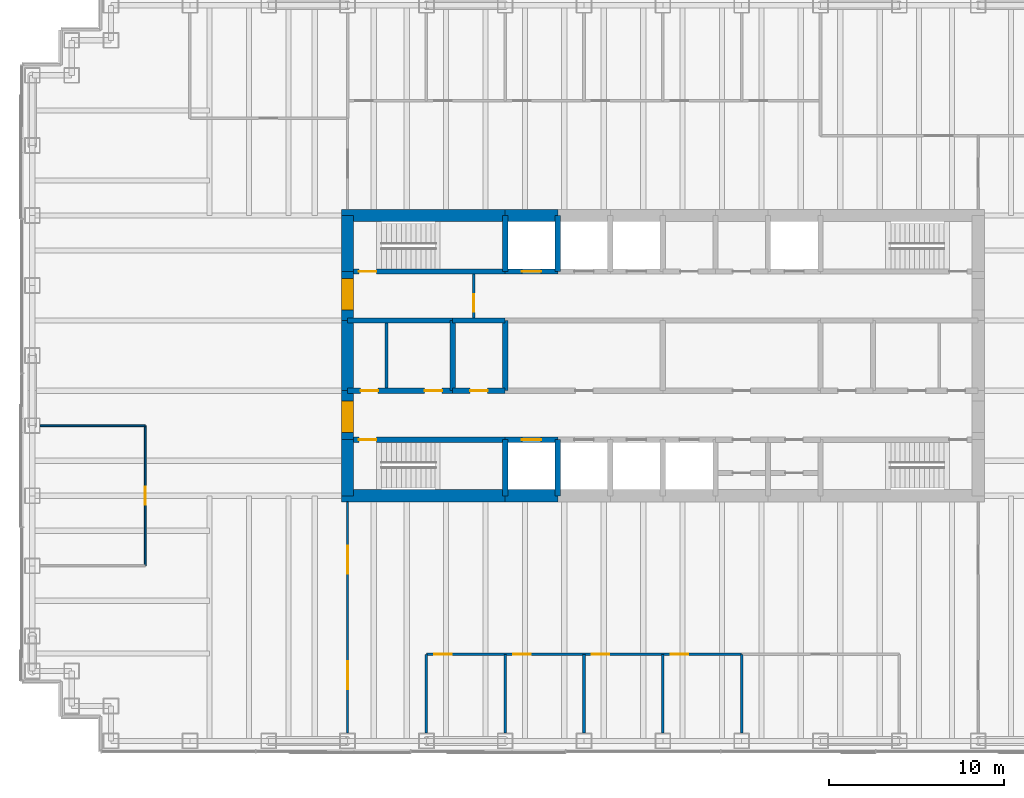
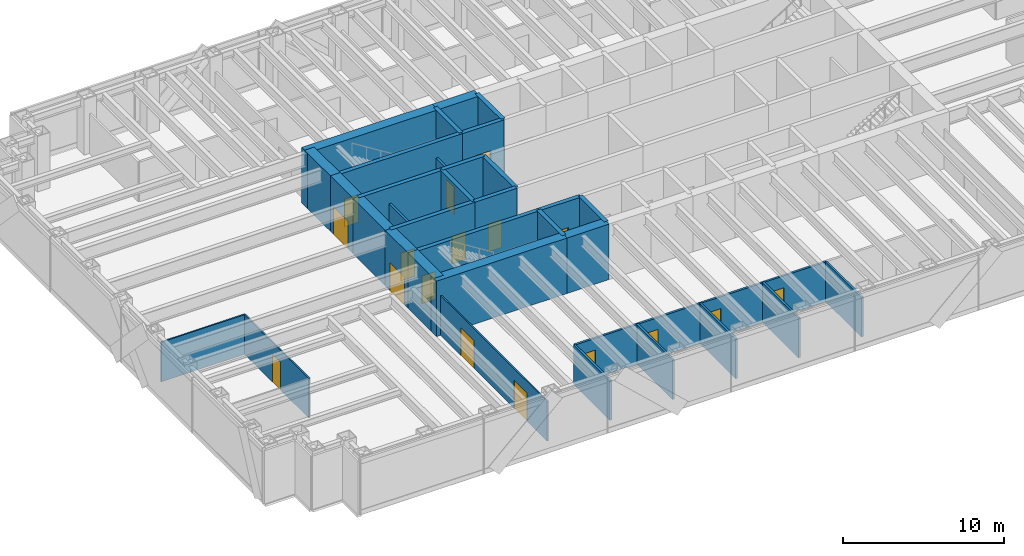
# One storey, part 11 of 15: 34 walls, 17 doors, 17 openings.
"""IFC4 building model written with IfcOpenShell, lengths in metres."""

from ifc_helpers import new_model, si_unit, direction, frame, frame_2d, origin, place, context, subcontext, project, spatial, rectangle, extrude, material, layer, layer_set, type_object, element, fill, save


model = new_model("IFC4")

# Units and contexts
model_context = context("Model", 3, precision=1e-05, world=origin(), true_north=direction((0.0, 1.0)))
body_context = subcontext(model_context, "Body", "Model", "MODEL_VIEW")
ifc_project = project(units=[si_unit("LENGTHUNIT", "METRE"), si_unit("AREAUNIT", "SQUARE_METRE"), si_unit("VOLUMEUNIT", "CUBIC_METRE"), si_unit("PLANEANGLEUNIT", "RADIAN"), si_unit("MASSUNIT", "GRAM", prefix="KILO")], contexts=[model_context])

# Site, building, storey
site_placement = place(None, origin())
site = spatial("IfcSite", under=ifc_project, at=site_placement, CompositionType="ELEMENT")
building_placement = place(site_placement, origin())
building = spatial("IfcBuilding", under=site, at=building_placement, Name="Rheinbord Bourse Tower", CompositionType="ELEMENT")
storey_placement = place(building_placement, frame((0.0, 0.0, 313.10009765625)))
storey = spatial("IfcBuildingStorey", under=building, at=storey_placement, Name="L71", CompositionType="ELEMENT", Elevation=313.10009765625)

# Wall, opening, door
ifc_material_1 = material(Name="Concrete C50/60", Category="concrete")
ifc_layer_1 = layer(ifc_material_1, 0.300048828125)
ifc_layer_set_1 = layer_set([ifc_layer_1], Name="CORE INNER WALL 300")
wall_type_1 = type_object("IfcWallType", Name="CORE INNER WALL 300", PredefinedType="SOLIDWALL", material=ifc_layer_set_1)
wall_1_placement = place(storey_placement, frame((18.0, 19.199951171875, 0.0), z_axis=(0.0, 0.0, 1.0), x_axis=(1.0, 0.0, 0.0)))
wall_1 = element("IfcWall", 1, at=wall_1_placement, inside=storey, type_object=wall_type_1, Name="Core wall A1 L71", PredefinedType="SOLIDWALL", context=body_context, shape_type="SweptSolid", body=[
    extrude(rectangle(XDim=9.0, YDim=0.300048828125, at=frame_2d((4.5, 0.0))), origin(), (0.0, 0.0, 1.0), 4.199951171875),
])
opening_1_placement = place(wall_1_placement, frame((0.64990234375, 0.0, 0.0)))
opening_1 = element("IfcOpeningElement", 2, at=opening_1_placement, cuts=wall_1, Name="Opening 7110", PredefinedType="OPENING", context=body_context, shape_type="SweptSolid", body=[
    extrude(rectangle(XDim=1.0, YDim=2.10009765625, at=frame_2d((0.5, 1.050048828125))), frame((0.0, 0.159912109375, 0.0), z_axis=(0.0, -1.0, 0.0), x_axis=(1.0, 0.0, 0.0)), (0.0, 0.0, 1.0), 0.320068359375),
])
ifc_material_2 = material(Name="Steel door", Category="steel")
door_type_1 = type_object("IfcDoorType", Name="DOOR 1000 EI30", OperationType="SINGLE_SWING_LEFT", PredefinedType="DOOR", material=ifc_material_2)
door_1_placement = place(opening_1_placement, origin())
door_1 = element("IfcDoor", 3, at=door_1_placement, inside=storey, type_object=door_type_1, Name="Stair door ST1 L71", OperationType="SINGLE_SWING_LEFT", OverallHeight=2.10009765625, OverallWidth=1.0, PredefinedType="DOOR", context=body_context, shape_type="SweptSolid", body=[
    extrude(rectangle(XDim=1.0, YDim=2.10009765625, at=frame_2d((0.5, 1.050048828125))), frame((0.0, 0.02490234375, 0.0), z_axis=(0.0, -1.0, 0.0), x_axis=(1.0, 0.0, 0.0)), (0.0, 0.0, 1.0), 0.050048828125),
])
fill(opening_1, door_1)

wall_2_placement = place(storey_placement, frame((27.0, 19.199951171875, 0.0), z_axis=(0.0, 0.0, 1.0), x_axis=(1.0, 0.0, 0.0)))
wall_2 = element("IfcWall", 4, at=wall_2_placement, inside=storey, type_object=wall_type_1, Name="Core wall A2 L71", PredefinedType="SOLIDWALL", context=body_context, shape_type="SweptSolid", body=[
    extrude(rectangle(XDim=3.0, YDim=0.300048828125, at=frame_2d((1.5, 0.0))), origin(), (0.0, 0.0, 1.0), 4.199951171875),
])
opening_2_placement = place(wall_2_placement, frame((0.949951171875, 0.0, 0.0)))
opening_2 = element("IfcOpeningElement", 5, at=opening_2_placement, cuts=wall_2, Name="Opening FL1", PredefinedType="OPENING", context=body_context, shape_type="SweptSolid", body=[
    extrude(rectangle(XDim=1.10009765625, YDim=2.199951171875, at=frame_2d((0.550048828125, 1.10009765625))), frame((0.0, 0.159912109375, 0.0), z_axis=(0.0, -1.0, 0.0), x_axis=(1.0, 0.0, 0.0)), (0.0, 0.0, 1.0), 0.320068359375),
])
ifc_material_3 = material(Name="Steel landing door", Category="steel")
door_type_2 = type_object("IfcDoorType", Name="LIFT LANDING DOOR 1100", OperationType="DOUBLE_DOOR_SLIDING", PredefinedType="USERDEFINED", material=ifc_material_3)
door_2_placement = place(opening_2_placement, origin())
door_2 = element("IfcDoor", 6, at=door_2_placement, inside=storey, type_object=door_type_2, Name="Lift landing door FL1 L71", ObjectType="LIFT LANDING DOOR", OperationType="DOUBLE_DOOR_SLIDING", OverallHeight=2.199951171875, OverallWidth=1.10009765625, PredefinedType="USERDEFINED", context=body_context, shape_type="SweptSolid", body=[
    extrude(rectangle(XDim=1.10009765625, YDim=2.199951171875, at=frame_2d((0.550048828125, 1.10009765625))), frame((0.0, 0.02490234375, 0.0), z_axis=(0.0, -1.0, 0.0), x_axis=(1.0, 0.0, 0.0)), (0.0, 0.0, 1.0), 0.050048828125),
])
fill(opening_2, door_2)

wall_3_placement = place(storey_placement, frame((18.0, 28.800048828125, 0.0), z_axis=(0.0, 0.0, 1.0), x_axis=(1.0, 0.0, 0.0)))
wall_3 = element("IfcWall", 7, at=wall_3_placement, inside=storey, type_object=wall_type_1, Name="Core wall B1 L71", PredefinedType="SOLIDWALL", context=body_context, shape_type="SweptSolid", body=[
    extrude(rectangle(XDim=9.0, YDim=0.300048828125, at=frame_2d((4.5, 0.0))), origin(), (0.0, 0.0, 1.0), 4.199951171875),
])
opening_3_placement = place(wall_3_placement, frame((0.64990234375, 0.0, 0.0)))
opening_3 = element("IfcOpeningElement", 8, at=opening_3_placement, cuts=wall_3, Name="Opening 7120", PredefinedType="OPENING", context=body_context, shape_type="SweptSolid", body=[
    extrude(rectangle(XDim=1.0, YDim=2.10009765625, at=frame_2d((0.5, 1.050048828125))), frame((0.0, 0.159912109375, 0.0), z_axis=(0.0, -1.0, 0.0), x_axis=(1.0, 0.0, 0.0)), (0.0, 0.0, 1.0), 0.320068359375),
])
door_3_placement = place(opening_3_placement, origin())
door_3 = element("IfcDoor", 9, at=door_3_placement, inside=storey, type_object=door_type_1, Name="Stair door ST2 L71", OperationType="SINGLE_SWING_LEFT", OverallHeight=2.10009765625, OverallWidth=1.0, PredefinedType="DOOR", context=body_context, shape_type="SweptSolid", body=[
    extrude(rectangle(XDim=1.0, YDim=2.10009765625, at=frame_2d((0.5, 1.050048828125))), frame((0.0, 0.02490234375, 0.0), z_axis=(0.0, -1.0, 0.0), x_axis=(1.0, 0.0, 0.0)), (0.0, 0.0, 1.0), 0.050048828125),
])
fill(opening_3, door_3)

wall_4_placement = place(storey_placement, frame((27.0, 28.800048828125, 0.0), z_axis=(0.0, 0.0, 1.0), x_axis=(1.0, 0.0, 0.0)))
wall_4 = element("IfcWall", 10, at=wall_4_placement, inside=storey, type_object=wall_type_1, Name="Core wall B2 L71", PredefinedType="SOLIDWALL", context=body_context, shape_type="SweptSolid", body=[
    extrude(rectangle(XDim=3.0, YDim=0.300048828125, at=frame_2d((1.5, 0.0))), origin(), (0.0, 0.0, 1.0), 4.199951171875),
])
opening_4_placement = place(wall_4_placement, frame((0.949951171875, 0.0, 0.0)))
opening_4 = element("IfcOpeningElement", 11, at=opening_4_placement, cuts=wall_4, Name="Opening GL1", PredefinedType="OPENING", context=body_context, shape_type="SweptSolid", body=[
    extrude(rectangle(XDim=1.10009765625, YDim=2.199951171875, at=frame_2d((0.550048828125, 1.10009765625))), frame((0.0, 0.159912109375, 0.0), z_axis=(0.0, -1.0, 0.0), x_axis=(1.0, 0.0, 0.0)), (0.0, 0.0, 1.0), 0.320068359375),
])
door_4_placement = place(opening_4_placement, origin())
door_4 = element("IfcDoor", 12, at=door_4_placement, inside=storey, type_object=door_type_2, Name="Lift landing door GL1 L71", ObjectType="LIFT LANDING DOOR", OperationType="DOUBLE_DOOR_SLIDING", OverallHeight=2.199951171875, OverallWidth=1.10009765625, PredefinedType="USERDEFINED", context=body_context, shape_type="SweptSolid", body=[
    extrude(rectangle(XDim=1.10009765625, YDim=2.199951171875, at=frame_2d((0.550048828125, 1.10009765625))), frame((0.0, 0.02490234375, 0.0), z_axis=(0.0, -1.0, 0.0), x_axis=(1.0, 0.0, 0.0)), (0.0, 0.0, 1.0), 0.050048828125),
])
fill(opening_4, door_4)

# Wall, openings, doors
wall_5_placement = place(storey_placement, frame((18.0, 22.0, 0.0), z_axis=(0.0, 0.0, 1.0), x_axis=(1.0, 0.0, 0.0)))
wall_5 = element("IfcWall", 13, at=wall_5_placement, inside=storey, type_object=wall_type_1, Name="Core wall C1 L71", PredefinedType="SOLIDWALL", context=body_context, shape_type="SweptSolid", body=[
    extrude(rectangle(XDim=6.0, YDim=0.300048828125, at=frame_2d((3.0, 0.0))), origin(), (0.0, 0.0, 1.0), 4.199951171875),
])
opening_5_placement = place(wall_5_placement, frame((4.39990234375, 0.0, 0.0)))
opening_5 = element("IfcOpeningElement", 14, at=opening_5_placement, cuts=wall_5, Name="Opening 71R1", PredefinedType="OPENING", context=body_context, shape_type="SweptSolid", body=[
    extrude(rectangle(XDim=1.0, YDim=2.10009765625, at=frame_2d((0.5, 1.050048828125))), frame((0.0, 0.159912109375, 0.0), z_axis=(0.0, -1.0, 0.0), x_axis=(1.0, 0.0, 0.0)), (0.0, 0.0, 1.0), 0.320068359375),
])
opening_6_placement = place(wall_5_placement, frame((0.75, 0.0, 0.0)))
opening_6 = element("IfcOpeningElement", 15, at=opening_6_placement, cuts=wall_5, Name="Opening 71R9", PredefinedType="OPENING", context=body_context, shape_type="SweptSolid", body=[
    extrude(rectangle(XDim=1.0, YDim=2.10009765625, at=frame_2d((0.5, 1.050048828125))), frame((0.0, 0.159912109375, 0.0), z_axis=(0.0, -1.0, 0.0), x_axis=(1.0, 0.0, 0.0)), (0.0, 0.0, 1.0), 0.320068359375),
])
door_5_placement = place(opening_6_placement, origin())
door_5 = element("IfcDoor", 16, at=door_5_placement, inside=storey, type_object=door_type_1, Name="Staff shower door L71", OperationType="SINGLE_SWING_LEFT", OverallHeight=2.10009765625, OverallWidth=1.0, PredefinedType="DOOR", context=body_context, shape_type="SweptSolid", body=[
    extrude(rectangle(XDim=1.0, YDim=2.10009765625, at=frame_2d((0.5, 1.050048828125))), frame((0.0, 0.02490234375, 0.0), z_axis=(0.0, -1.0, 0.0), x_axis=(1.0, 0.0, 0.0)), (0.0, 0.0, 1.0), 0.050048828125),
])
fill(opening_6, door_5)
ifc_material_4 = material(Name="Timber door", Category="wood")
door_type_3 = type_object("IfcDoorType", Name="DOOR 1000 WC", OperationType="SINGLE_SWING_LEFT", PredefinedType="DOOR", material=ifc_material_4)
door_6_placement = place(opening_5_placement, origin())
door_6 = element("IfcDoor", 17, at=door_6_placement, inside=storey, type_object=door_type_3, Name="WC men door L71", OperationType="SINGLE_SWING_RIGHT", OverallHeight=2.10009765625, OverallWidth=1.0, PredefinedType="DOOR", context=body_context, shape_type="SweptSolid", body=[
    extrude(rectangle(XDim=1.0, YDim=2.10009765625, at=frame_2d((0.5, 1.050048828125))), frame((0.0, 0.02490234375, 0.0), z_axis=(0.0, -1.0, 0.0), x_axis=(1.0, 0.0, 0.0)), (0.0, 0.0, 1.0), 0.050048828125),
])
fill(opening_5, door_6)

# Wall, opening, door
wall_6_placement = place(storey_placement, frame((24.0, 22.0, 0.0), z_axis=(0.0, 0.0, 1.0), x_axis=(1.0, 0.0, 0.0)))
wall_6 = element("IfcWall", 18, at=wall_6_placement, inside=storey, type_object=wall_type_1, Name="Core wall C2 L71", PredefinedType="SOLIDWALL", context=body_context, shape_type="SweptSolid", body=[
    extrude(rectangle(XDim=3.0, YDim=0.300048828125, at=frame_2d((1.5, 0.0))), origin(), (0.0, 0.0, 1.0), 4.199951171875),
])
opening_7_placement = place(wall_6_placement, frame((1.0, 0.0, 0.0)))
opening_7 = element("IfcOpeningElement", 19, at=opening_7_placement, cuts=wall_6, Name="Opening 71R2", PredefinedType="OPENING", context=body_context, shape_type="SweptSolid", body=[
    extrude(rectangle(XDim=1.0, YDim=2.10009765625, at=frame_2d((0.5, 1.050048828125))), frame((0.0, 0.159912109375, 0.0), z_axis=(0.0, -1.0, 0.0), x_axis=(1.0, 0.0, 0.0)), (0.0, 0.0, 1.0), 0.320068359375),
])
door_7_placement = place(opening_7_placement, origin())
door_7 = element("IfcDoor", 20, at=door_7_placement, inside=storey, type_object=door_type_3, Name="Accessible WC door L71", OperationType="SINGLE_SWING_LEFT", OverallHeight=2.10009765625, OverallWidth=1.0, PredefinedType="DOOR", context=body_context, shape_type="SweptSolid", body=[
    extrude(rectangle(XDim=1.0, YDim=2.10009765625, at=frame_2d((0.5, 1.050048828125))), frame((0.0, 0.02490234375, 0.0), z_axis=(0.0, -1.0, 0.0), x_axis=(1.0, 0.0, 0.0)), (0.0, 0.0, 1.0), 0.050048828125),
])
fill(opening_7, door_7)

# Walls
wall_7_placement = place(storey_placement, frame((18.0, 26.0, 0.0), z_axis=(0.0, 0.0, 1.0), x_axis=(1.0, 0.0, 0.0)))
element("IfcWall", 21, at=wall_7_placement, inside=storey, type_object=wall_type_1, Name="Core wall D1 L71", PredefinedType="SOLIDWALL", context=body_context, shape_type="SweptSolid", body=[
    extrude(rectangle(XDim=6.0, YDim=0.300048828125, at=frame_2d((3.0, 0.0))), origin(), (0.0, 0.0, 1.0), 4.199951171875),
])
wall_8_placement = place(storey_placement, frame((24.0, 26.0, 0.0), z_axis=(0.0, 0.0, 1.0), x_axis=(1.0, 0.0, 0.0)))
element("IfcWall", 22, at=wall_8_placement, inside=storey, type_object=wall_type_1, Name="Core wall D2 L71", PredefinedType="SOLIDWALL", context=body_context, shape_type="SweptSolid", body=[
    extrude(rectangle(XDim=3.0, YDim=0.300048828125, at=frame_2d((1.5, 0.0))), origin(), (0.0, 0.0, 1.0), 4.199951171875),
])
for number, where, z_axis, x_axis, name in (
    (23, (27.0, 16.0, 0.0), (0.0, 0.0, 1.0), (0.0, 1.0, 0.0), "Core wall SX27 L71"),
    (24, (27.0, 28.800048828125, 0.0), (0.0, 0.0, 1.0), (0.0, 1.0, 0.0), "Core wall NX27 L71"),
    (25, (30.0, 16.0, 0.0), (0.0, 0.0, 1.0), (0.0, 1.0, 0.0), "Core wall SX30 L71"),
    (26, (30.0, 28.800048828125, 0.0), (0.0, 0.0, 1.0), (0.0, 1.0, 0.0), "Core wall NX30 L71"),
):
    element("IfcWall", number, at=place(storey_placement, frame(where, z_axis=z_axis, x_axis=x_axis)), inside=storey, type_object=wall_type_1, Name=name, PredefinedType="SOLIDWALL", context=body_context, shape_type="SweptSolid", body=[
        extrude(rectangle(XDim=3.199951171875, YDim=0.300048828125, at=frame_2d((1.60009765625, 0.0))), origin(), (0.0, 0.0, 1.0), 4.199951171875),
    ])
for number, where, z_axis, x_axis, name in (
    (27, (24.0, 22.0, 0.0), (0.0, 0.0, 1.0), (0.0, 1.0, 0.0), "Core wall MX24 L71"),
    (28, (27.0, 22.0, 0.0), (0.0, 0.0, 1.0), (0.0, 1.0, 0.0), "Core wall MX27 L71"),
):
    element("IfcWall", number, at=place(storey_placement, frame(where, z_axis=z_axis, x_axis=x_axis)), inside=storey, type_object=wall_type_1, Name=name, PredefinedType="SOLIDWALL", context=body_context, shape_type="SweptSolid", body=[
        extrude(rectangle(XDim=4.0, YDim=0.300048828125, at=frame_2d((2.0, 0.0))), origin(), (0.0, 0.0, 1.0), 4.199951171875),
    ])
ifc_material_5 = material(Name="Gypsum board fire partition", Category="gypsum board")
ifc_layer_2 = layer(ifc_material_5, 0.14990234375)
ifc_layer_set_2 = layer_set([ifc_layer_2], Name="CORE PARTITION 150 EI30")
wall_type_2 = type_object("IfcWallType", Name="CORE PARTITION 150 EI30", PredefinedType="PARTITIONING", material=ifc_layer_set_2)
wall_9_placement = place(storey_placement, frame((20.22509765625, 22.14990234375, 0.0), z_axis=(0.0, 0.0, 1.0), x_axis=(0.0, 1.0, 0.0)))
element("IfcWall", 29, at=wall_9_placement, inside=storey, type_object=wall_type_2, Name="Core partition L71-2", PredefinedType="PARTITIONING", context=body_context, shape_type="SweptSolid", body=[
    extrude(rectangle(XDim=3.7001953125, YDim=0.14990234375, at=frame_2d((1.85009765625, 0.0))), origin(), (0.0, 0.0, 1.0), 3.0),
])

# Wall, opening, door
wall_10_placement = place(storey_placement, frame((25.199951171875, 26.14990234375, 0.0), z_axis=(0.0, 0.0, 1.0), x_axis=(0.0, 1.0, 0.0)))
wall_10 = element("IfcWall", 30, at=wall_10_placement, inside=storey, type_object=wall_type_2, Name="Core partition L71-5", PredefinedType="PARTITIONING", context=body_context, shape_type="SweptSolid", body=[
    extrude(rectangle(XDim=2.5, YDim=0.14990234375, at=frame_2d((1.25, 0.0))), origin(), (0.0, 0.0, 1.0), 3.0),
])
opening_8_placement = place(wall_10_placement, frame((0.35009765625, 0.0, 0.0)))
opening_8 = element("IfcOpeningElement", 31, at=opening_8_placement, cuts=wall_10, Name="Opening 71L6", PredefinedType="OPENING", context=body_context, shape_type="SweptSolid", body=[
    extrude(rectangle(XDim=1.0, YDim=2.10009765625, at=frame_2d((0.5, 1.050048828125))), frame((0.0, 0.0849609375, 0.0), z_axis=(0.0, -1.0, 0.0), x_axis=(1.0, 0.0, 0.0)), (0.0, 0.0, 1.0), 0.169921875),
])
door_8_placement = place(opening_8_placement, origin())
door_8 = element("IfcDoor", 32, at=door_8_placement, inside=storey, type_object=door_type_1, Name="Stair lobby door L71", OperationType="SINGLE_SWING_LEFT", OverallHeight=2.10009765625, OverallWidth=1.0, PredefinedType="DOOR", context=body_context, shape_type="SweptSolid", body=[
    extrude(rectangle(XDim=1.0, YDim=2.10009765625, at=frame_2d((0.5, 1.050048828125))), frame((0.0, 0.02490234375, 0.0), z_axis=(0.0, -1.0, 0.0), x_axis=(1.0, 0.0, 0.0)), (0.0, 0.0, 1.0), 0.050048828125),
])
fill(opening_8, door_8)

# Walls
ifc_material_6 = material(Name="Concrete C50/60", Category="concrete")
ifc_layer_3 = layer(ifc_material_6, 0.699951171875)
ifc_layer_set_3 = layer_set([ifc_layer_3], Name="CORE WALL 700")
wall_type_3 = type_object("IfcWallType", Name="CORE WALL 700", PredefinedType="SHEAR", material=ifc_layer_set_3)
wall_11_placement = place(storey_placement, frame((17.64990234375, 16.0, 0.0), z_axis=(0.0, 0.0, 1.0), x_axis=(1.0, 0.0, 0.0)))
element("IfcWall", 33, at=wall_11_placement, inside=storey, type_object=wall_type_3, Name="Core wall S1 L71", PredefinedType="SHEAR", context=body_context, shape_type="SweptSolid", body=[
    extrude(rectangle(XDim=9.35009765625, YDim=0.699951171875, at=frame_2d((4.675048828125, 0.0))), origin(), (0.0, 0.0, 1.0), 4.199951171875),
])
for number, where, z_axis, x_axis, name in (
    (34, (27.0, 16.0, 0.0), (0.0, 0.0, 1.0), (1.0, 0.0, 0.0), "Core wall S2 L71"),
    (35, (30.0, 32.0, 0.0), (0.0, 0.0, 1.0), (-1.0, 0.0, 0.0), "Core wall N7 L71"),
):
    element("IfcWall", number, at=place(storey_placement, frame(where, z_axis=z_axis, x_axis=x_axis)), inside=storey, type_object=wall_type_3, Name=name, PredefinedType="SHEAR", context=body_context, shape_type="SweptSolid", body=[
        extrude(rectangle(XDim=3.0, YDim=0.699951171875, at=frame_2d((1.5, 0.0))), origin(), (0.0, 0.0, 1.0), 4.199951171875),
    ])
wall_12_placement = place(storey_placement, frame((27.0, 32.0, 0.0), z_axis=(0.0, 0.0, 1.0), x_axis=(-1.0, 0.0, 0.0)))
element("IfcWall", 36, at=wall_12_placement, inside=storey, type_object=wall_type_3, Name="Core wall N8 L71", PredefinedType="SHEAR", context=body_context, shape_type="SweptSolid", body=[
    extrude(rectangle(XDim=9.35009765625, YDim=0.699951171875, at=frame_2d((4.675048828125, 0.0))), origin(), (0.0, 0.0, 1.0), 4.199951171875),
])
wall_13_placement = place(storey_placement, frame((18.0, 32.0, 0.0), z_axis=(0.0, 0.0, 1.0), x_axis=(0.0, -1.0, 0.0)))
element("IfcWall", 37, at=wall_13_placement, inside=storey, type_object=wall_type_3, Name="Core wall W1 L71", PredefinedType="SHEAR", context=body_context, shape_type="SweptSolid", body=[
    extrude(rectangle(XDim=3.199951171875, YDim=0.699951171875, at=frame_2d((1.60009765625, 0.0))), origin(), (0.0, 0.0, 1.0), 4.199951171875),
])

# Wall, opening, door
wall_14_placement = place(storey_placement, frame((18.0, 28.800048828125, 0.0), z_axis=(0.0, 0.0, 1.0), x_axis=(0.0, -1.0, 0.0)))
wall_14 = element("IfcWall", 38, at=wall_14_placement, inside=storey, type_object=wall_type_3, Name="Core wall W2 L71", PredefinedType="SHEAR", context=body_context, shape_type="SweptSolid", body=[
    extrude(rectangle(XDim=2.800048828125, YDim=0.699951171875, at=frame_2d((1.39990234375, 0.0))), origin(), (0.0, 0.0, 1.0), 4.199951171875),
])
opening_9_placement = place(wall_14_placement, frame((0.39990234375, 0.0, 0.0)))
opening_9 = element("IfcOpeningElement", 39, at=opening_9_placement, cuts=wall_14, Name="Opening 71L2", PredefinedType="OPENING", context=body_context, shape_type="SweptSolid", body=[
    extrude(rectangle(XDim=1.800048828125, YDim=2.10009765625, at=frame_2d((0.89990234375, 1.050048828125))), frame((0.0, 0.35986328125, 0.0), z_axis=(0.0, -1.0, 0.0), x_axis=(1.0, 0.0, 0.0)), (0.0, 0.0, 1.0), 0.719970703125),
])
ifc_material_7 = material(Name="Steel door", Category="steel")
door_type_4 = type_object("IfcDoorType", Name="DOOR 1800 EI30 DOUBLE", OperationType="DOUBLE_DOOR_DOUBLE_SWING", PredefinedType="DOOR", material=ifc_material_7)
door_9_placement = place(opening_9_placement, origin())
door_9 = element("IfcDoor", 40, at=door_9_placement, inside=storey, type_object=door_type_4, Name="Lobby door 2 L71", OperationType="SINGLE_SWING_LEFT", OverallHeight=2.10009765625, OverallWidth=1.800048828125, PredefinedType="DOOR", context=body_context, shape_type="SweptSolid", body=[
    extrude(rectangle(XDim=1.800048828125, YDim=2.10009765625, at=frame_2d((0.89990234375, 1.050048828125))), frame((0.0, 0.349609375, 0.0), z_axis=(0.0, -1.0, 0.0), x_axis=(1.0, 0.0, 0.0)), (0.0, 0.0, 1.0), 0.699462890625),
])
fill(opening_9, door_9)

# Wall
wall_15_placement = place(storey_placement, frame((18.0, 26.0, 0.0), z_axis=(0.0, 0.0, 1.0), x_axis=(0.0, -1.0, 0.0)))
element("IfcWall", 41, at=wall_15_placement, inside=storey, type_object=wall_type_3, Name="Core wall W3 L71", PredefinedType="SHEAR", context=body_context, shape_type="SweptSolid", body=[
    extrude(rectangle(XDim=4.0, YDim=0.699951171875, at=frame_2d((2.0, 0.0))), origin(), (0.0, 0.0, 1.0), 4.199951171875),
])

# Wall, opening, door
wall_16_placement = place(storey_placement, frame((18.0, 22.0, 0.0), z_axis=(0.0, 0.0, 1.0), x_axis=(0.0, -1.0, 0.0)))
wall_16 = element("IfcWall", 42, at=wall_16_placement, inside=storey, type_object=wall_type_3, Name="Core wall W4 L71", PredefinedType="SHEAR", context=body_context, shape_type="SweptSolid", body=[
    extrude(rectangle(XDim=2.800048828125, YDim=0.699951171875, at=frame_2d((1.39990234375, 0.0))), origin(), (0.0, 0.0, 1.0), 4.199951171875),
])
opening_10_placement = place(wall_16_placement, frame((0.60009765625, 0.0, 0.0)))
opening_10 = element("IfcOpeningElement", 43, at=opening_10_placement, cuts=wall_16, Name="Opening 71L1", PredefinedType="OPENING", context=body_context, shape_type="SweptSolid", body=[
    extrude(rectangle(XDim=1.800048828125, YDim=2.10009765625, at=frame_2d((0.89990234375, 1.050048828125))), frame((0.0, 0.35986328125, 0.0), z_axis=(0.0, -1.0, 0.0), x_axis=(1.0, 0.0, 0.0)), (0.0, 0.0, 1.0), 0.719970703125),
])
door_10_placement = place(opening_10_placement, origin())
door_10 = element("IfcDoor", 44, at=door_10_placement, inside=storey, type_object=door_type_4, Name="Lobby door 1 L71", OperationType="SINGLE_SWING_LEFT", OverallHeight=2.10009765625, OverallWidth=1.800048828125, PredefinedType="DOOR", context=body_context, shape_type="SweptSolid", body=[
    extrude(rectangle(XDim=1.800048828125, YDim=2.10009765625, at=frame_2d((0.89990234375, 1.050048828125))), frame((0.0, 0.349609375, 0.0), z_axis=(0.0, -1.0, 0.0), x_axis=(1.0, 0.0, 0.0)), (0.0, 0.0, 1.0), 0.699462890625),
])
fill(opening_10, door_10)

# Walls
wall_17_placement = place(storey_placement, frame((18.0, 19.199951171875, 0.0), z_axis=(0.0, 0.0, 1.0), x_axis=(0.0, -1.0, 0.0)))
element("IfcWall", 45, at=wall_17_placement, inside=storey, type_object=wall_type_3, Name="Core wall W5 L71", PredefinedType="SHEAR", context=body_context, shape_type="SweptSolid", body=[
    extrude(rectangle(XDim=3.199951171875, YDim=0.699951171875, at=frame_2d((1.60009765625, 0.0))), origin(), (0.0, 0.0, 1.0), 4.199951171875),
])
ifc_material_8 = material(Name="Gypsum board fire partition", Category="gypsum board")
ifc_layer_4 = layer(ifc_material_8, 0.14990234375)
ifc_layer_set_4 = layer_set([ifc_layer_4], Name="FIRE PARTITION 150 EI60")
wall_type_4 = type_object("IfcWallType", Name="FIRE PARTITION 150 EI60", PredefinedType="PARTITIONING", material=ifc_layer_set_4)
wall_18_placement = place(storey_placement, frame((40.5, 2.449951171875, 0.0), z_axis=(0.0, 0.0, 1.0), x_axis=(0.0, 1.0, 0.0)))
element("IfcWall", 46, at=wall_18_placement, inside=storey, type_object=wall_type_4, Name="Partition L71-26", PredefinedType="PARTITIONING", context=body_context, shape_type="SweptSolid", body=[
    extrude(rectangle(XDim=4.5, YDim=0.14990234375, at=frame_2d((2.25, 0.0))), origin(), (0.0, 0.0, 1.0), 3.0),
])
ifc_material_9 = material(Name="Toughened laminated glass partition", Category="glass")
ifc_layer_5 = layer(ifc_material_9, 0.10009765625)
ifc_layer_set_5 = layer_set([ifc_layer_5], Name="GLAZED PARTITION 100")
wall_type_5 = type_object("IfcWallType", Name="GLAZED PARTITION 100", PredefinedType="PARTITIONING", material=ifc_layer_set_5)
wall_19_placement = place(storey_placement, frame((0.449951171875, 20.0, 0.0), z_axis=(0.0, 0.0, 1.0), x_axis=(1.0, 0.0, 0.0)))
element("IfcWall", 47, at=wall_19_placement, inside=storey, type_object=wall_type_5, Name="Partition L71-05", PredefinedType="PARTITIONING", context=body_context, shape_type="SweptSolid", body=[
    extrude(rectangle(XDim=6.0, YDim=0.10009765625, at=frame_2d((3.0, 0.0))), origin(), (0.0, 0.0, 1.0), 3.0),
])

# Wall, opening, door
wall_20_placement = place(storey_placement, frame((6.449951171875, 12.0, 0.0), z_axis=(0.0, 0.0, 1.0), x_axis=(0.0, 1.0, 0.0)))
wall_20 = element("IfcWall", 48, at=wall_20_placement, inside=storey, type_object=wall_type_5, Name="Partition L71-13", PredefinedType="PARTITIONING", context=body_context, shape_type="SweptSolid", body=[
    extrude(rectangle(XDim=8.0, YDim=0.10009765625, at=frame_2d((4.0, 0.0))), origin(), (0.0, 0.0, 1.0), 3.0),
])
opening_11_placement = place(wall_20_placement, frame((3.5, 0.0, 0.0)))
opening_11 = element("IfcOpeningElement", 49, at=opening_11_placement, cuts=wall_20, Name="Opening 71D06", PredefinedType="OPENING", context=body_context, shape_type="SweptSolid", body=[
    extrude(rectangle(XDim=1.0, YDim=2.10009765625, at=frame_2d((0.5, 1.050048828125))), frame((0.0, 0.06005859375, 0.0), z_axis=(0.0, -1.0, 0.0), x_axis=(1.0, 0.0, 0.0)), (0.0, 0.0, 1.0), 0.1201171875),
])
ifc_material_10 = material(Name="Timber door", Category="wood")
door_type_5 = type_object("IfcDoorType", Name="ROOM DOOR 1000", OperationType="SINGLE_SWING_LEFT", PredefinedType="DOOR", material=ifc_material_10)
door_11_placement = place(opening_11_placement, origin())
door_11 = element("IfcDoor", 50, at=door_11_placement, inside=storey, type_object=door_type_5, Name="Meeting room door L71", OperationType="SINGLE_SWING_LEFT", OverallHeight=2.10009765625, OverallWidth=1.0, PredefinedType="DOOR", context=body_context, shape_type="SweptSolid", body=[
    extrude(rectangle(XDim=1.0, YDim=2.10009765625, at=frame_2d((0.5, 1.050048828125))), frame((0.0, 0.02490234375, 0.0), z_axis=(0.0, -1.0, 0.0), x_axis=(1.0, 0.0, 0.0)), (0.0, 0.0, 1.0), 0.050048828125),
])
fill(opening_11, door_11)

# Wall, openings, doors
wall_21_placement = place(storey_placement, frame((18.0, 2.449951171875, 0.0), z_axis=(0.0, 0.0, 1.0), x_axis=(0.0, 1.0, 0.0)))
wall_21 = element("IfcWall", 51, at=wall_21_placement, inside=storey, type_object=wall_type_5, Name="Partition L71-15", PredefinedType="PARTITIONING", context=body_context, shape_type="SweptSolid", body=[
    extrude(rectangle(XDim=13.199951171875, YDim=0.10009765625, at=frame_2d((6.60009765625, 0.0))), origin(), (0.0, 0.0, 1.0), 3.0),
])
opening_12_placement = place(wall_21_placement, frame((2.5, 0.0, 0.0)))
opening_12 = element("IfcOpeningElement", 52, at=opening_12_placement, cuts=wall_21, Name="Opening 71D18", PredefinedType="OPENING", context=body_context, shape_type="SweptSolid", body=[
    extrude(rectangle(XDim=1.60009765625, YDim=2.10009765625, at=frame_2d((0.800048828125, 1.050048828125))), frame((0.0, 0.06005859375, 0.0), z_axis=(0.0, -1.0, 0.0), x_axis=(1.0, 0.0, 0.0)), (0.0, 0.0, 1.0), 0.1201171875),
])
opening_13_placement = place(wall_21_placement, frame((9.10009765625, 0.0, 0.0)))
opening_13 = element("IfcOpeningElement", 53, at=opening_13_placement, cuts=wall_21, Name="Opening 71D19", PredefinedType="OPENING", context=body_context, shape_type="SweptSolid", body=[
    extrude(rectangle(XDim=1.60009765625, YDim=2.10009765625, at=frame_2d((0.800048828125, 1.050048828125))), frame((0.0, 0.06005859375, 0.0), z_axis=(0.0, -1.0, 0.0), x_axis=(1.0, 0.0, 0.0)), (0.0, 0.0, 1.0), 0.1201171875),
])
ifc_material_11 = material(Name="Timber door", Category="wood")
door_type_6 = type_object("IfcDoorType", Name="DOUBLE ROOM DOOR 1600", OperationType="DOUBLE_DOOR_DOUBLE_SWING", PredefinedType="DOOR", material=ifc_material_11)
door_12_placement = place(opening_12_placement, origin())
door_12 = element("IfcDoor", 54, at=door_12_placement, inside=storey, type_object=door_type_6, Name="Open area door L71", OperationType="SINGLE_SWING_LEFT", OverallHeight=2.10009765625, OverallWidth=1.60009765625, PredefinedType="DOOR", context=body_context, shape_type="SweptSolid", body=[
    extrude(rectangle(XDim=1.60009765625, YDim=2.10009765625, at=frame_2d((0.800048828125, 1.050048828125))), frame((0.0, 0.02490234375, 0.0), z_axis=(0.0, -1.0, 0.0), x_axis=(1.0, 0.0, 0.0)), (0.0, 0.0, 1.0), 0.050048828125),
])
fill(opening_12, door_12)
door_13_placement = place(opening_13_placement, origin())
door_13 = element("IfcDoor", 55, at=door_13_placement, inside=storey, type_object=door_type_6, Name="Open area door L71", OperationType="SINGLE_SWING_LEFT", OverallHeight=2.10009765625, OverallWidth=1.60009765625, PredefinedType="DOOR", context=body_context, shape_type="SweptSolid", body=[
    extrude(rectangle(XDim=1.60009765625, YDim=2.10009765625, at=frame_2d((0.800048828125, 1.050048828125))), frame((0.0, 0.02490234375, 0.0), z_axis=(0.0, -1.0, 0.0), x_axis=(1.0, 0.0, 0.0)), (0.0, 0.0, 1.0), 0.050048828125),
])
fill(opening_13, door_13)

ifc_material_12 = material(Name="Gypsum board partition", Category="gypsum board")
ifc_layer_6 = layer(ifc_material_12, 0.14990234375)
ifc_layer_set_6 = layer_set([ifc_layer_6], Name="PARTITION 150")
wall_type_6 = type_object("IfcWallType", Name="PARTITION 150", PredefinedType="PARTITIONING", material=ifc_layer_set_6)
wall_22_placement = place(storey_placement, frame((22.5, 6.949951171875, 0.0), z_axis=(0.0, 0.0, 1.0), x_axis=(1.0, 0.0, 0.0)))
wall_22 = element("IfcWall", 56, at=wall_22_placement, inside=storey, type_object=wall_type_6, Name="Partition L71-01", PredefinedType="PARTITIONING", context=body_context, shape_type="SweptSolid", body=[
    extrude(rectangle(XDim=18.0, YDim=0.14990234375, at=frame_2d((9.0, 0.0))), origin(), (0.0, 0.0, 1.0), 3.0),
])
opening_14_placement = place(wall_22_placement, frame((0.449951171875, 0.0, 0.0)))
opening_14 = element("IfcOpeningElement", 57, at=opening_14_placement, cuts=wall_22, Name="Opening 71D01", PredefinedType="OPENING", context=body_context, shape_type="SweptSolid", body=[
    extrude(rectangle(XDim=1.0, YDim=2.10009765625, at=frame_2d((0.5, 1.050048828125))), frame((0.0, 0.0849609375, 0.0), z_axis=(0.0, -1.0, 0.0), x_axis=(1.0, 0.0, 0.0)), (0.0, 0.0, 1.0), 0.169921875),
])
opening_15_placement = place(wall_22_placement, frame((4.949951171875, 0.0, 0.0)))
opening_15 = element("IfcOpeningElement", 58, at=opening_15_placement, cuts=wall_22, Name="Opening 71D02", PredefinedType="OPENING", context=body_context, shape_type="SweptSolid", body=[
    extrude(rectangle(XDim=1.0, YDim=2.10009765625, at=frame_2d((0.5, 1.050048828125))), frame((0.0, 0.0849609375, 0.0), z_axis=(0.0, -1.0, 0.0), x_axis=(1.0, 0.0, 0.0)), (0.0, 0.0, 1.0), 0.169921875),
])
opening_16_placement = place(wall_22_placement, frame((9.449951171875, 0.0, 0.0)))
opening_16 = element("IfcOpeningElement", 59, at=opening_16_placement, cuts=wall_22, Name="Opening 71D03", PredefinedType="OPENING", context=body_context, shape_type="SweptSolid", body=[
    extrude(rectangle(XDim=1.0, YDim=2.10009765625, at=frame_2d((0.5, 1.050048828125))), frame((0.0, 0.0849609375, 0.0), z_axis=(0.0, -1.0, 0.0), x_axis=(1.0, 0.0, 0.0)), (0.0, 0.0, 1.0), 0.169921875),
])
opening_17_placement = place(wall_22_placement, frame((13.949951171875, 0.0, 0.0)))
opening_17 = element("IfcOpeningElement", 60, at=opening_17_placement, cuts=wall_22, Name="Opening 71D04", PredefinedType="OPENING", context=body_context, shape_type="SweptSolid", body=[
    extrude(rectangle(XDim=1.0, YDim=2.10009765625, at=frame_2d((0.5, 1.050048828125))), frame((0.0, 0.0849609375, 0.0), z_axis=(0.0, -1.0, 0.0), x_axis=(1.0, 0.0, 0.0)), (0.0, 0.0, 1.0), 0.169921875),
])
door_14_placement = place(opening_14_placement, origin())
door_14 = element("IfcDoor", 61, at=door_14_placement, inside=storey, type_object=door_type_5, Name="Legal office door L71", OperationType="SINGLE_SWING_LEFT", OverallHeight=2.10009765625, OverallWidth=1.0, PredefinedType="DOOR", context=body_context, shape_type="SweptSolid", body=[
    extrude(rectangle(XDim=1.0, YDim=2.10009765625, at=frame_2d((0.5, 1.050048828125))), frame((0.0, 0.02490234375, 0.0), z_axis=(0.0, -1.0, 0.0), x_axis=(1.0, 0.0, 0.0)), (0.0, 0.0, 1.0), 0.050048828125),
])
fill(opening_14, door_14)
door_15_placement = place(opening_15_placement, origin())
door_15 = element("IfcDoor", 62, at=door_15_placement, inside=storey, type_object=door_type_5, Name="Legal office door L71", OperationType="SINGLE_SWING_LEFT", OverallHeight=2.10009765625, OverallWidth=1.0, PredefinedType="DOOR", context=body_context, shape_type="SweptSolid", body=[
    extrude(rectangle(XDim=1.0, YDim=2.10009765625, at=frame_2d((0.5, 1.050048828125))), frame((0.0, 0.02490234375, 0.0), z_axis=(0.0, -1.0, 0.0), x_axis=(1.0, 0.0, 0.0)), (0.0, 0.0, 1.0), 0.050048828125),
])
fill(opening_15, door_15)
door_16_placement = place(opening_16_placement, origin())
door_16 = element("IfcDoor", 63, at=door_16_placement, inside=storey, type_object=door_type_5, Name="Legal office door L71", OperationType="SINGLE_SWING_RIGHT", OverallHeight=2.10009765625, OverallWidth=1.0, PredefinedType="DOOR", context=body_context, shape_type="SweptSolid", body=[
    extrude(rectangle(XDim=1.0, YDim=2.10009765625, at=frame_2d((0.5, 1.050048828125))), frame((0.0, 0.02490234375, 0.0), z_axis=(0.0, -1.0, 0.0), x_axis=(1.0, 0.0, 0.0)), (0.0, 0.0, 1.0), 0.050048828125),
])
fill(opening_16, door_16)
door_17_placement = place(opening_17_placement, origin())
door_17 = element("IfcDoor", 64, at=door_17_placement, inside=storey, type_object=door_type_5, Name="Legal office door L71", OperationType="SINGLE_SWING_RIGHT", OverallHeight=2.10009765625, OverallWidth=1.0, PredefinedType="DOOR", context=body_context, shape_type="SweptSolid", body=[
    extrude(rectangle(XDim=1.0, YDim=2.10009765625, at=frame_2d((0.5, 1.050048828125))), frame((0.0, 0.02490234375, 0.0), z_axis=(0.0, -1.0, 0.0), x_axis=(1.0, 0.0, 0.0)), (0.0, 0.0, 1.0), 0.050048828125),
])
fill(opening_17, door_17)

# Walls
for number, where, z_axis, x_axis, name in (
    (65, (22.5, 2.449951171875, 0.0), (0.0, 0.0, 1.0), (0.0, 1.0, 0.0), "Partition L71-18"),
    (66, (27.0, 2.449951171875, 0.0), (0.0, 0.0, 1.0), (0.0, 1.0, 0.0), "Partition L71-20"),
    (67, (31.5, 2.449951171875, 0.0), (0.0, 0.0, 1.0), (0.0, 1.0, 0.0), "Partition L71-22"),
    (68, (36.0, 2.449951171875, 0.0), (0.0, 0.0, 1.0), (0.0, 1.0, 0.0), "Partition L71-24"),
):
    element("IfcWall", number, at=place(storey_placement, frame(where, z_axis=z_axis, x_axis=x_axis)), inside=storey, type_object=wall_type_6, Name=name, PredefinedType="PARTITIONING", context=body_context, shape_type="SweptSolid", body=[
        extrude(rectangle(XDim=4.5, YDim=0.14990234375, at=frame_2d((2.25, 0.0))), origin(), (0.0, 0.0, 1.0), 3.0),
    ])

save(model, "model.ifc")
